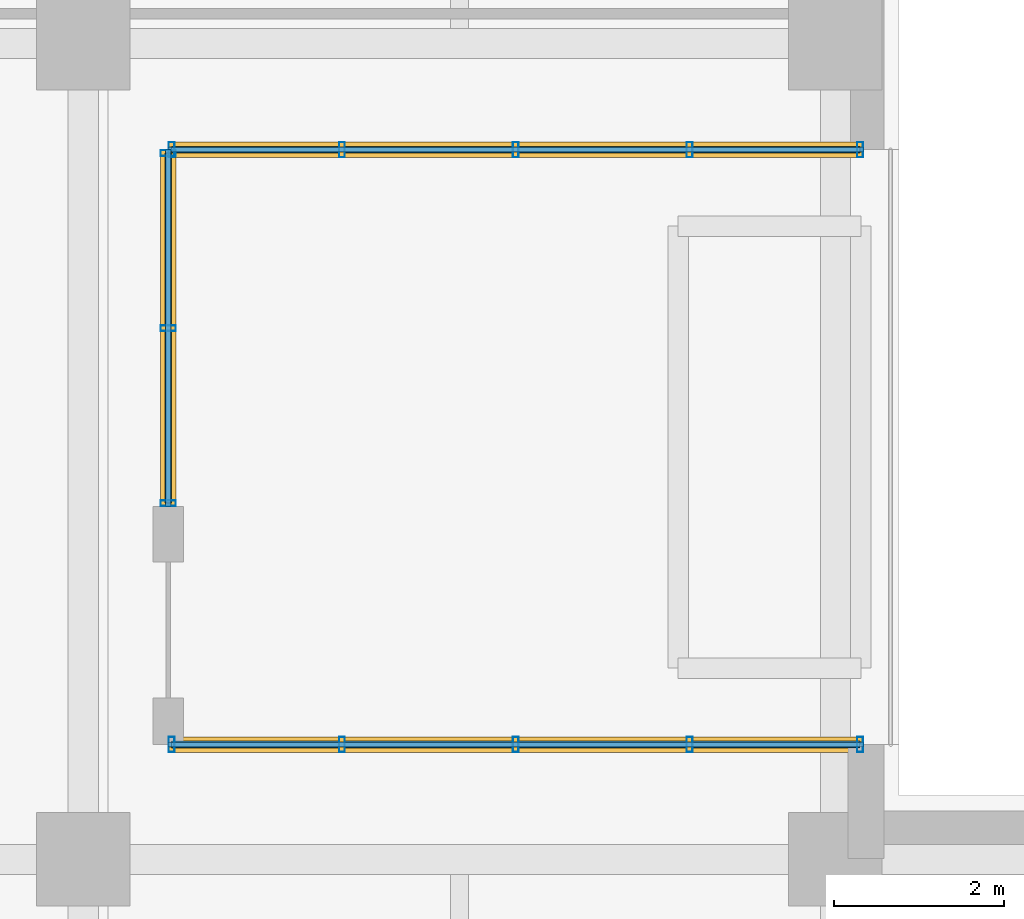
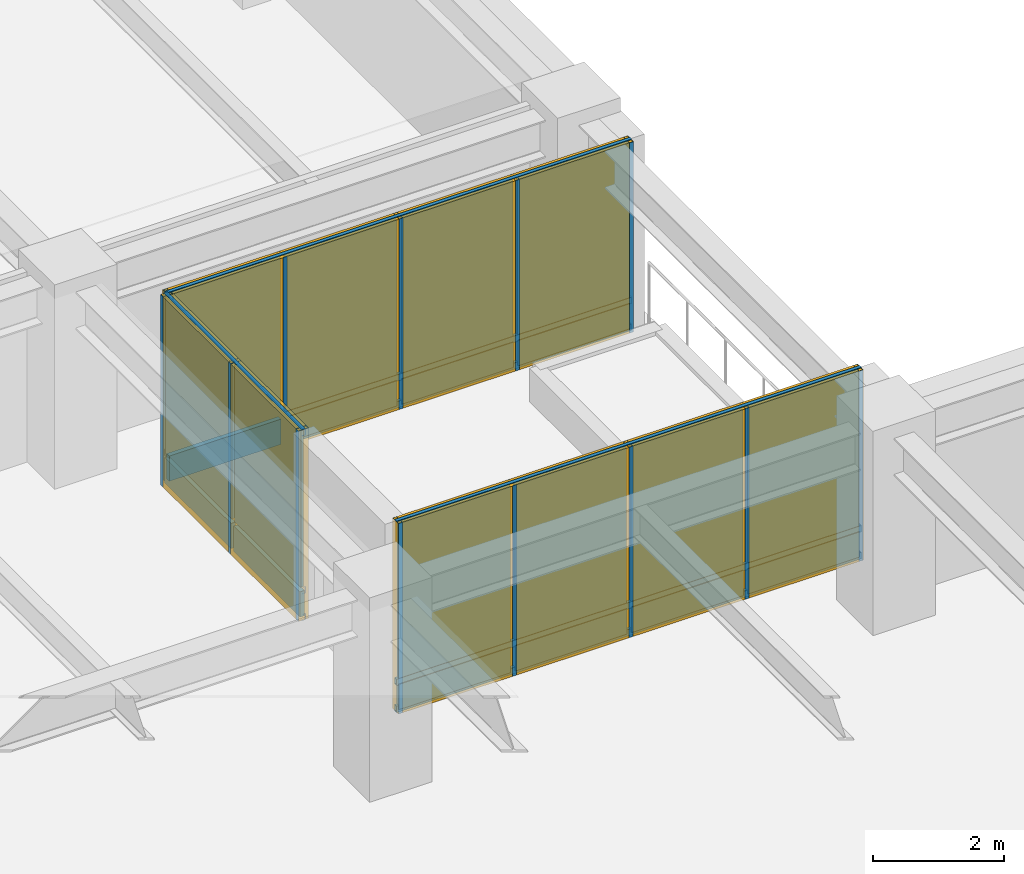
# One storey, part 11 of 16: 22 members, 20 plates, 3 curtain walls.
"""IFC4 building model written with IfcOpenShell, lengths in metres."""

from ifc_helpers import new_model, si_unit, direction, frame, frame_2d, origin, origin_2d, place, context, subcontext, project, spatial, rectangle, hollow_rectangle, extrude, material, layer, layer_set, material_profile, profile_set, type_object, element, aggregate, save


model = new_model("IFC4")

# Units and contexts
model_context = context("Model", 3, precision=1e-05, world=origin(), true_north=direction((0.0, 1.0)))
body_context = subcontext(model_context, "Body", "Model", "MODEL_VIEW")
ifc_project = project(units=[si_unit("LENGTHUNIT", "METRE"), si_unit("AREAUNIT", "SQUARE_METRE"), si_unit("VOLUMEUNIT", "CUBIC_METRE"), si_unit("PLANEANGLEUNIT", "RADIAN"), si_unit("MASSUNIT", "GRAM", prefix="KILO")], contexts=[model_context])

# Member
ifc_material_1 = material(Name="Anodized Aluminium 6063-T6", Category="aluminium")
ifc_material_profile_1 = material_profile(ifc_material_1, hollow_rectangle(XDim=0.070068359375, YDim=0.179931640625, WallThickness=0.00390625, at=origin_2d()), Name="Anodized Aluminium 6063-T6")
ifc_profile_set_1 = profile_set([ifc_material_profile_1], Name="Anodized Aluminium 6063-T6")
member_type_1 = type_object("IfcMemberType", Name="Curtain Wall Mullion 180", PredefinedType="MULLION", material=ifc_profile_set_1)
site_placement = place(None, origin())
building_placement = place(site_placement, origin())
storey_placement = place(building_placement, frame((0.0, 0.0, 58.39990234375)))
member_1_placement = place(storey_placement, frame((29.840087890625, 46.0, 0.0), z_axis=(0.0, 0.0, 1.0), x_axis=(1.0, 0.0, 0.0)))
member_1 = element("IfcMember", 1, at=member_1_placement, type_object=member_type_1, Name="Curtain Wall Mullion CW-L14-SGN-M01", PredefinedType="MULLION", context=body_context, shape_type="SweptSolid", body=[
    extrude(hollow_rectangle(XDim=0.070068359375, YDim=0.179931640625, WallThickness=0.00390625, at=origin_2d()), origin(), (0.0, 0.0, 1.0), 3.5400390625),
])

member_2_placement = place(storey_placement, frame((31.844970703125, 46.0, 0.0), z_axis=(0.0, 0.0, 1.0), x_axis=(1.0, 0.0, 0.0)))
member_2 = element("IfcMember", 2, at=member_2_placement, type_object=member_type_1, Name="Curtain Wall Mullion CW-L14-SGN-M02", PredefinedType="MULLION", context=body_context, shape_type="SweptSolid", body=[
    extrude(hollow_rectangle(XDim=0.070068359375, YDim=0.179931640625, WallThickness=0.00390625, at=origin_2d()), origin(), (0.0, 0.0, 1.0), 3.5400390625),
])

member_3_placement = place(storey_placement, frame((33.889892578125, 46.0, 0.0), z_axis=(0.0, 0.0, 1.0), x_axis=(1.0, 0.0, 0.0)))
member_3 = element("IfcMember", 3, at=member_3_placement, type_object=member_type_1, Name="Curtain Wall Mullion CW-L14-SGN-M03", PredefinedType="MULLION", context=body_context, shape_type="SweptSolid", body=[
    extrude(hollow_rectangle(XDim=0.070068359375, YDim=0.179931640625, WallThickness=0.00390625, at=origin_2d()), origin(), (0.0, 0.0, 1.0), 3.5400390625),
])

member_4_placement = place(storey_placement, frame((35.93505859375, 46.0, 0.0), z_axis=(0.0, 0.0, 1.0), x_axis=(1.0, 0.0, 0.0)))
member_4 = element("IfcMember", 4, at=member_4_placement, type_object=member_type_1, Name="Curtain Wall Mullion CW-L14-SGN-M04", PredefinedType="MULLION", context=body_context, shape_type="SweptSolid", body=[
    extrude(hollow_rectangle(XDim=0.070068359375, YDim=0.179931640625, WallThickness=0.00390625, at=origin_2d()), origin(), (0.0, 0.0, 1.0), 3.5400390625),
])

member_5_placement = place(storey_placement, frame((37.93994140625, 46.0, 0.0), z_axis=(0.0, 0.0, 1.0), x_axis=(1.0, 0.0, 0.0)))
member_5 = element("IfcMember", 5, at=member_5_placement, type_object=member_type_1, Name="Curtain Wall Mullion CW-L14-SGN-M05", PredefinedType="MULLION", context=body_context, shape_type="SweptSolid", body=[
    extrude(hollow_rectangle(XDim=0.070068359375, YDim=0.179931640625, WallThickness=0.00390625, at=origin_2d()), origin(), (0.0, 0.0, 1.0), 3.5400390625),
])

member_6_placement = place(storey_placement, frame((29.840087890625, 39.0, 0.0), z_axis=(0.0, 0.0, 1.0), x_axis=(1.0, 0.0, 0.0)))
member_6 = element("IfcMember", 6, at=member_6_placement, type_object=member_type_1, Name="Curtain Wall Mullion CW-L14-SGS-M01", PredefinedType="MULLION", context=body_context, shape_type="SweptSolid", body=[
    extrude(hollow_rectangle(XDim=0.070068359375, YDim=0.179931640625, WallThickness=0.00390625, at=origin_2d()), origin(), (0.0, 0.0, 1.0), 3.5400390625),
])

member_7_placement = place(storey_placement, frame((31.844970703125, 39.0, 0.0), z_axis=(0.0, 0.0, 1.0), x_axis=(1.0, 0.0, 0.0)))
member_7 = element("IfcMember", 7, at=member_7_placement, type_object=member_type_1, Name="Curtain Wall Mullion CW-L14-SGS-M02", PredefinedType="MULLION", context=body_context, shape_type="SweptSolid", body=[
    extrude(hollow_rectangle(XDim=0.070068359375, YDim=0.179931640625, WallThickness=0.00390625, at=origin_2d()), origin(), (0.0, 0.0, 1.0), 3.5400390625),
])

member_8_placement = place(storey_placement, frame((33.889892578125, 39.0, 0.0), z_axis=(0.0, 0.0, 1.0), x_axis=(1.0, 0.0, 0.0)))
member_8 = element("IfcMember", 8, at=member_8_placement, type_object=member_type_1, Name="Curtain Wall Mullion CW-L14-SGS-M03", PredefinedType="MULLION", context=body_context, shape_type="SweptSolid", body=[
    extrude(hollow_rectangle(XDim=0.070068359375, YDim=0.179931640625, WallThickness=0.00390625, at=origin_2d()), origin(), (0.0, 0.0, 1.0), 3.5400390625),
])

member_9_placement = place(storey_placement, frame((35.93505859375, 39.0, 0.0), z_axis=(0.0, 0.0, 1.0), x_axis=(1.0, 0.0, 0.0)))
member_9 = element("IfcMember", 9, at=member_9_placement, type_object=member_type_1, Name="Curtain Wall Mullion CW-L14-SGS-M04", PredefinedType="MULLION", context=body_context, shape_type="SweptSolid", body=[
    extrude(hollow_rectangle(XDim=0.070068359375, YDim=0.179931640625, WallThickness=0.00390625, at=origin_2d()), origin(), (0.0, 0.0, 1.0), 3.5400390625),
])

member_10_placement = place(storey_placement, frame((37.93994140625, 39.0, 0.0), z_axis=(0.0, 0.0, 1.0), x_axis=(1.0, 0.0, 0.0)))
member_10 = element("IfcMember", 10, at=member_10_placement, type_object=member_type_1, Name="Curtain Wall Mullion CW-L14-SGS-M05", PredefinedType="MULLION", context=body_context, shape_type="SweptSolid", body=[
    extrude(hollow_rectangle(XDim=0.070068359375, YDim=0.179931640625, WallThickness=0.00390625, at=origin_2d()), origin(), (0.0, 0.0, 1.0), 3.5400390625),
])

member_11_placement = place(storey_placement, frame((29.800048828125, 41.840087890625, 0.0), z_axis=(0.0, 0.0, 1.0), x_axis=(0.0, 1.0, 0.0)))
member_11 = element("IfcMember", 11, at=member_11_placement, type_object=member_type_1, Name="Curtain Wall Mullion CW-L14-SGW-M01", PredefinedType="MULLION", context=body_context, shape_type="SweptSolid", body=[
    extrude(hollow_rectangle(XDim=0.070068359375, YDim=0.179931640625, WallThickness=0.00390625, at=origin_2d()), origin(), (0.0, 0.0, 1.0), 3.5400390625),
])

member_12_placement = place(storey_placement, frame((29.800048828125, 43.89990234375, 0.0), z_axis=(0.0, 0.0, 1.0), x_axis=(0.0, 1.0, 0.0)))
member_12 = element("IfcMember", 12, at=member_12_placement, type_object=member_type_1, Name="Curtain Wall Mullion CW-L14-SGW-M02", PredefinedType="MULLION", context=body_context, shape_type="SweptSolid", body=[
    extrude(hollow_rectangle(XDim=0.070068359375, YDim=0.179931640625, WallThickness=0.00390625, at=origin_2d()), origin(), (0.0, 0.0, 1.0), 3.5400390625),
])

member_13_placement = place(storey_placement, frame((29.800048828125, 45.9599609375, 0.0), z_axis=(0.0, 0.0, 1.0), x_axis=(0.0, 1.0, 0.0)))
member_13 = element("IfcMember", 13, at=member_13_placement, type_object=member_type_1, Name="Curtain Wall Mullion CW-L14-SGW-M03", PredefinedType="MULLION", context=body_context, shape_type="SweptSolid", body=[
    extrude(hollow_rectangle(XDim=0.070068359375, YDim=0.179931640625, WallThickness=0.00390625, at=origin_2d()), origin(), (0.0, 0.0, 1.0), 3.5400390625),
])

ifc_material_profile_2 = material_profile(ifc_material_1, hollow_rectangle(XDim=0.06005859375, YDim=0.1201171875, WallThickness=0.00341796875, at=origin_2d()), Name="Anodized Aluminium 6063-T6")
ifc_profile_set_2 = profile_set([ifc_material_profile_2], Name="Anodized Aluminium 6063-T6")
member_type_2 = type_object("IfcMemberType", Name="Curtain Wall Transom 120", PredefinedType="USERDEFINED", material=ifc_profile_set_2)
member_14_placement = place(storey_placement, frame((29.800048828125, 46.0, 0.050048828125), z_axis=(1.0, 0.0, 0.0), x_axis=(0.0, 1.0, 0.0)))
member_14 = element("IfcMember", 14, at=member_14_placement, type_object=member_type_2, Name="Curtain Wall Transom CW-L14-SGN-T01", ObjectType="TRANSOM", PredefinedType="USERDEFINED", context=body_context, shape_type="SweptSolid", body=[
    extrude(hollow_rectangle(XDim=0.06005859375, YDim=0.1201171875, WallThickness=0.00341796875, at=origin_2d()), origin(), (0.0, 0.0, 1.0), 8.179931640625),
])

member_15_placement = place(storey_placement, frame((29.800048828125, 46.0, 0.550048828125), z_axis=(1.0, 0.0, 0.0), x_axis=(0.0, 1.0, 0.0)))
member_15 = element("IfcMember", 15, at=member_15_placement, type_object=member_type_2, Name="Curtain Wall Transom CW-L14-SGN-T02", ObjectType="TRANSOM", PredefinedType="USERDEFINED", context=body_context, shape_type="SweptSolid", body=[
    extrude(hollow_rectangle(XDim=0.06005859375, YDim=0.1201171875, WallThickness=0.00341796875, at=origin_2d()), origin(), (0.0, 0.0, 1.0), 8.179931640625),
])

member_16_placement = place(storey_placement, frame((29.800048828125, 46.0, 3.489990234375), z_axis=(1.0, 0.0, 0.0), x_axis=(0.0, 1.0, 0.0)))
member_16 = element("IfcMember", 16, at=member_16_placement, type_object=member_type_2, Name="Curtain Wall Transom CW-L14-SGN-T03", ObjectType="TRANSOM", PredefinedType="USERDEFINED", context=body_context, shape_type="SweptSolid", body=[
    extrude(hollow_rectangle(XDim=0.06005859375, YDim=0.1201171875, WallThickness=0.00341796875, at=origin_2d()), origin(), (0.0, 0.0, 1.0), 8.179931640625),
])

member_17_placement = place(storey_placement, frame((29.800048828125, 39.0, 0.050048828125), z_axis=(1.0, 0.0, 0.0), x_axis=(0.0, 1.0, 0.0)))
member_17 = element("IfcMember", 17, at=member_17_placement, type_object=member_type_2, Name="Curtain Wall Transom CW-L14-SGS-T01", ObjectType="TRANSOM", PredefinedType="USERDEFINED", context=body_context, shape_type="SweptSolid", body=[
    extrude(hollow_rectangle(XDim=0.06005859375, YDim=0.1201171875, WallThickness=0.00341796875, at=origin_2d()), origin(), (0.0, 0.0, 1.0), 8.179931640625),
])

member_18_placement = place(storey_placement, frame((29.800048828125, 39.0, 0.550048828125), z_axis=(1.0, 0.0, 0.0), x_axis=(0.0, 1.0, 0.0)))
member_18 = element("IfcMember", 18, at=member_18_placement, type_object=member_type_2, Name="Curtain Wall Transom CW-L14-SGS-T02", ObjectType="TRANSOM", PredefinedType="USERDEFINED", context=body_context, shape_type="SweptSolid", body=[
    extrude(hollow_rectangle(XDim=0.06005859375, YDim=0.1201171875, WallThickness=0.00341796875, at=origin_2d()), origin(), (0.0, 0.0, 1.0), 8.179931640625),
])

member_19_placement = place(storey_placement, frame((29.800048828125, 39.0, 3.489990234375), z_axis=(1.0, 0.0, 0.0), x_axis=(0.0, 1.0, 0.0)))
member_19 = element("IfcMember", 19, at=member_19_placement, type_object=member_type_2, Name="Curtain Wall Transom CW-L14-SGS-T03", ObjectType="TRANSOM", PredefinedType="USERDEFINED", context=body_context, shape_type="SweptSolid", body=[
    extrude(hollow_rectangle(XDim=0.06005859375, YDim=0.1201171875, WallThickness=0.00341796875, at=origin_2d()), origin(), (0.0, 0.0, 1.0), 8.179931640625),
])

member_20_placement = place(storey_placement, frame((29.800048828125, 41.800048828125, 0.050048828125), z_axis=(0.0, 1.0, 0.0), x_axis=(-1.0, 0.0, 0.0)))
member_20 = element("IfcMember", 20, at=member_20_placement, type_object=member_type_2, Name="Curtain Wall Transom CW-L14-SGW-T01", ObjectType="TRANSOM", PredefinedType="USERDEFINED", context=body_context, shape_type="SweptSolid", body=[
    extrude(hollow_rectangle(XDim=0.06005859375, YDim=0.1201171875, WallThickness=0.00341796875, at=origin_2d()), origin(), (0.0, 0.0, 1.0), 4.199951171875),
])

member_21_placement = place(storey_placement, frame((29.800048828125, 41.800048828125, 0.550048828125), z_axis=(0.0, 1.0, 0.0), x_axis=(-1.0, 0.0, 0.0)))
member_21 = element("IfcMember", 21, at=member_21_placement, type_object=member_type_2, Name="Curtain Wall Transom CW-L14-SGW-T02", ObjectType="TRANSOM", PredefinedType="USERDEFINED", context=body_context, shape_type="SweptSolid", body=[
    extrude(hollow_rectangle(XDim=0.06005859375, YDim=0.1201171875, WallThickness=0.00341796875, at=origin_2d()), origin(), (0.0, 0.0, 1.0), 4.199951171875),
])

member_22_placement = place(storey_placement, frame((29.800048828125, 41.800048828125, 3.489990234375), z_axis=(0.0, 1.0, 0.0), x_axis=(-1.0, 0.0, 0.0)))
member_22 = element("IfcMember", 22, at=member_22_placement, type_object=member_type_2, Name="Curtain Wall Transom CW-L14-SGW-T03", ObjectType="TRANSOM", PredefinedType="USERDEFINED", context=body_context, shape_type="SweptSolid", body=[
    extrude(hollow_rectangle(XDim=0.06005859375, YDim=0.1201171875, WallThickness=0.00341796875, at=origin_2d()), origin(), (0.0, 0.0, 1.0), 4.199951171875),
])

# Plate
ifc_material_2 = material(Name="Bird-Friendly Fritted Triple Glazing", Category="glass")
ifc_layer_1 = layer(ifc_material_2, 0.052001953125, Name="Bird-Friendly Fritted Triple Glazing")
ifc_layer_set_1 = layer_set([ifc_layer_1], Name="Bird-Friendly Fritted Triple Glazing")
plate_type_1 = type_object("IfcPlateType", Name="Plate CWGlazing 52", PredefinedType="CURTAIN_PANEL", material=ifc_layer_set_1)
plate_1_placement = place(storey_placement, frame((30.822509765625, 46.0, 0.59033203125), z_axis=(0.0, 0.0, 1.0), x_axis=(1.0, 0.0, 0.0)))
plate_1 = element("IfcPlate", 23, at=plate_1_placement, type_object=plate_type_1, Name="Vision Glazing Panel CW-L14-SGN-GL01", PredefinedType="CURTAIN_PANEL", context=body_context, shape_type="SweptSolid", body=[
    extrude(rectangle(XDim=1.965087890625, YDim=0.052001953125, at=origin_2d()), origin(), (0.0, 0.0, 1.0), 2.909912109375),
])

plate_2_placement = place(storey_placement, frame((32.867431640625, 46.0, 0.59033203125), z_axis=(0.0, 0.0, 1.0), x_axis=(1.0, 0.0, 0.0)))
plate_2 = element("IfcPlate", 24, at=plate_2_placement, type_object=plate_type_1, Name="Vision Glazing Panel CW-L14-SGN-GL02", PredefinedType="CURTAIN_PANEL", context=body_context, shape_type="SweptSolid", body=[
    extrude(rectangle(XDim=1.965087890625, YDim=0.052001953125, at=origin_2d()), origin(), (0.0, 0.0, 1.0), 2.909912109375),
])

plate_3_placement = place(storey_placement, frame((34.91259765625, 46.0, 0.59033203125), z_axis=(0.0, 0.0, 1.0), x_axis=(1.0, 0.0, 0.0)))
plate_3 = element("IfcPlate", 25, at=plate_3_placement, type_object=plate_type_1, Name="Vision Glazing Panel CW-L14-SGN-GL03", PredefinedType="CURTAIN_PANEL", context=body_context, shape_type="SweptSolid", body=[
    extrude(rectangle(XDim=1.965087890625, YDim=0.052001953125, at=origin_2d()), origin(), (0.0, 0.0, 1.0), 2.909912109375),
])

plate_4_placement = place(storey_placement, frame((36.95751953125, 46.0, 0.59033203125), z_axis=(0.0, 0.0, 1.0), x_axis=(1.0, 0.0, 0.0)))
plate_4 = element("IfcPlate", 26, at=plate_4_placement, type_object=plate_type_1, Name="Vision Glazing Panel CW-L14-SGN-GL04", PredefinedType="CURTAIN_PANEL", context=body_context, shape_type="SweptSolid", body=[
    extrude(rectangle(XDim=1.965087890625, YDim=0.052001953125, at=origin_2d()), origin(), (0.0, 0.0, 1.0), 2.909912109375),
])

plate_5_placement = place(storey_placement, frame((30.822509765625, 39.0, 0.59033203125), z_axis=(0.0, 0.0, 1.0), x_axis=(1.0, 0.0, 0.0)))
plate_5 = element("IfcPlate", 27, at=plate_5_placement, type_object=plate_type_1, Name="Vision Glazing Panel CW-L14-SGS-GL01", PredefinedType="CURTAIN_PANEL", context=body_context, shape_type="SweptSolid", body=[
    extrude(rectangle(XDim=1.965087890625, YDim=0.052001953125, at=origin_2d()), origin(), (0.0, 0.0, 1.0), 2.909912109375),
])

plate_6_placement = place(storey_placement, frame((32.867431640625, 39.0, 0.59033203125), z_axis=(0.0, 0.0, 1.0), x_axis=(1.0, 0.0, 0.0)))
plate_6 = element("IfcPlate", 28, at=plate_6_placement, type_object=plate_type_1, Name="Vision Glazing Panel CW-L14-SGS-GL02", PredefinedType="CURTAIN_PANEL", context=body_context, shape_type="SweptSolid", body=[
    extrude(rectangle(XDim=1.965087890625, YDim=0.052001953125, at=origin_2d()), origin(), (0.0, 0.0, 1.0), 2.909912109375),
])

plate_7_placement = place(storey_placement, frame((34.91259765625, 39.0, 0.59033203125), z_axis=(0.0, 0.0, 1.0), x_axis=(1.0, 0.0, 0.0)))
plate_7 = element("IfcPlate", 29, at=plate_7_placement, type_object=plate_type_1, Name="Vision Glazing Panel CW-L14-SGS-GL03", PredefinedType="CURTAIN_PANEL", context=body_context, shape_type="SweptSolid", body=[
    extrude(rectangle(XDim=1.965087890625, YDim=0.052001953125, at=origin_2d()), origin(), (0.0, 0.0, 1.0), 2.909912109375),
])

plate_8_placement = place(storey_placement, frame((36.95751953125, 39.0, 0.59033203125), z_axis=(0.0, 0.0, 1.0), x_axis=(1.0, 0.0, 0.0)))
plate_8 = element("IfcPlate", 30, at=plate_8_placement, type_object=plate_type_1, Name="Vision Glazing Panel CW-L14-SGS-GL04", PredefinedType="CURTAIN_PANEL", context=body_context, shape_type="SweptSolid", body=[
    extrude(rectangle(XDim=1.965087890625, YDim=0.052001953125, at=origin_2d()), origin(), (0.0, 0.0, 1.0), 2.909912109375),
])

plate_9_placement = place(storey_placement, frame((29.800048828125, 42.85009765625, 0.59033203125), z_axis=(0.0, 0.0, 1.0), x_axis=(0.0, 1.0, 0.0)))
plate_9 = element("IfcPlate", 31, at=plate_9_placement, type_object=plate_type_1, Name="Vision Glazing Panel CW-L14-SGW-GL01", PredefinedType="CURTAIN_PANEL", context=body_context, shape_type="SweptSolid", body=[
    extrude(rectangle(XDim=2.02001953125, YDim=0.052001953125, at=origin_2d()), origin(), (0.0, 0.0, 1.0), 2.909912109375),
])

plate_10_placement = place(storey_placement, frame((29.800048828125, 44.949951171875, 0.59033203125), z_axis=(0.0, 0.0, 1.0), x_axis=(0.0, 1.0, 0.0)))
plate_10 = element("IfcPlate", 32, at=plate_10_placement, type_object=plate_type_1, Name="Vision Glazing Panel CW-L14-SGW-GL02", PredefinedType="CURTAIN_PANEL", context=body_context, shape_type="SweptSolid", body=[
    extrude(rectangle(XDim=2.02001953125, YDim=0.052001953125, at=origin_2d()), origin(), (0.0, 0.0, 1.0), 2.909912109375),
])

ifc_material_3 = material(Name="Insulated Aluminium Spandrel Panel", Category="aluminium")
ifc_layer_2 = layer(ifc_material_3, 0.080078125, Name="Insulated Aluminium Spandrel Panel")
ifc_layer_set_2 = layer_set([ifc_layer_2], Name="Insulated Aluminium Spandrel Panel")
plate_type_2 = type_object("IfcPlateType", Name="Plate CWSpandrel 80", PredefinedType="SHEET", material=ifc_layer_set_2)
plate_11_placement = place(storey_placement, frame((30.822509765625, 46.0, 0.0400390625), z_axis=(0.0, 0.0, 1.0), x_axis=(1.0, 0.0, 0.0)))
plate_11 = element("IfcPlate", 33, at=plate_11_placement, type_object=plate_type_2, Name="Spandrel Panel CW-L14-SGN-SP01", PredefinedType="SHEET", context=body_context, shape_type="SweptSolid", body=[
    extrude(rectangle(XDim=1.965087890625, YDim=0.080078125, at=origin_2d()), origin(), (0.0, 0.0, 1.0), 0.469970703125),
])

plate_12_placement = place(storey_placement, frame((32.867431640625, 46.0, 0.0400390625), z_axis=(0.0, 0.0, 1.0), x_axis=(1.0, 0.0, 0.0)))
plate_12 = element("IfcPlate", 34, at=plate_12_placement, type_object=plate_type_2, Name="Spandrel Panel CW-L14-SGN-SP02", PredefinedType="SHEET", context=body_context, shape_type="SweptSolid", body=[
    extrude(rectangle(XDim=1.965087890625, YDim=0.080078125, at=origin_2d()), origin(), (0.0, 0.0, 1.0), 0.469970703125),
])

plate_13_placement = place(storey_placement, frame((34.91259765625, 46.0, 0.0400390625), z_axis=(0.0, 0.0, 1.0), x_axis=(1.0, 0.0, 0.0)))
plate_13 = element("IfcPlate", 35, at=plate_13_placement, type_object=plate_type_2, Name="Spandrel Panel CW-L14-SGN-SP03", PredefinedType="SHEET", context=body_context, shape_type="SweptSolid", body=[
    extrude(rectangle(XDim=1.965087890625, YDim=0.080078125, at=origin_2d()), origin(), (0.0, 0.0, 1.0), 0.469970703125),
])

plate_14_placement = place(storey_placement, frame((36.95751953125, 46.0, 0.0400390625), z_axis=(0.0, 0.0, 1.0), x_axis=(1.0, 0.0, 0.0)))
plate_14 = element("IfcPlate", 36, at=plate_14_placement, type_object=plate_type_2, Name="Spandrel Panel CW-L14-SGN-SP04", PredefinedType="SHEET", context=body_context, shape_type="SweptSolid", body=[
    extrude(rectangle(XDim=1.965087890625, YDim=0.080078125, at=origin_2d()), origin(), (0.0, 0.0, 1.0), 0.469970703125),
])

plate_15_placement = place(storey_placement, frame((30.822509765625, 39.0, 0.0400390625), z_axis=(0.0, 0.0, 1.0), x_axis=(1.0, 0.0, 0.0)))
plate_15 = element("IfcPlate", 37, at=plate_15_placement, type_object=plate_type_2, Name="Spandrel Panel CW-L14-SGS-SP01", PredefinedType="SHEET", context=body_context, shape_type="SweptSolid", body=[
    extrude(rectangle(XDim=1.965087890625, YDim=0.080078125, at=origin_2d()), origin(), (0.0, 0.0, 1.0), 0.469970703125),
])

plate_16_placement = place(storey_placement, frame((32.867431640625, 39.0, 0.0400390625), z_axis=(0.0, 0.0, 1.0), x_axis=(1.0, 0.0, 0.0)))
plate_16 = element("IfcPlate", 38, at=plate_16_placement, type_object=plate_type_2, Name="Spandrel Panel CW-L14-SGS-SP02", PredefinedType="SHEET", context=body_context, shape_type="SweptSolid", body=[
    extrude(rectangle(XDim=1.965087890625, YDim=0.080078125, at=origin_2d()), origin(), (0.0, 0.0, 1.0), 0.469970703125),
])

plate_17_placement = place(storey_placement, frame((34.91259765625, 39.0, 0.0400390625), z_axis=(0.0, 0.0, 1.0), x_axis=(1.0, 0.0, 0.0)))
plate_17 = element("IfcPlate", 39, at=plate_17_placement, type_object=plate_type_2, Name="Spandrel Panel CW-L14-SGS-SP03", PredefinedType="SHEET", context=body_context, shape_type="SweptSolid", body=[
    extrude(rectangle(XDim=1.965087890625, YDim=0.080078125, at=origin_2d()), origin(), (0.0, 0.0, 1.0), 0.469970703125),
])

plate_18_placement = place(storey_placement, frame((36.95751953125, 39.0, 0.0400390625), z_axis=(0.0, 0.0, 1.0), x_axis=(1.0, 0.0, 0.0)))
plate_18 = element("IfcPlate", 40, at=plate_18_placement, type_object=plate_type_2, Name="Spandrel Panel CW-L14-SGS-SP04", PredefinedType="SHEET", context=body_context, shape_type="SweptSolid", body=[
    extrude(rectangle(XDim=1.965087890625, YDim=0.080078125, at=origin_2d()), origin(), (0.0, 0.0, 1.0), 0.469970703125),
])

plate_19_placement = place(storey_placement, frame((29.800048828125, 42.85009765625, 0.0400390625), z_axis=(0.0, 0.0, 1.0), x_axis=(0.0, 1.0, 0.0)))
plate_19 = element("IfcPlate", 41, at=plate_19_placement, type_object=plate_type_2, Name="Spandrel Panel CW-L14-SGW-SP01", PredefinedType="SHEET", context=body_context, shape_type="SweptSolid", body=[
    extrude(rectangle(XDim=2.02001953125, YDim=0.080078125, at=origin_2d()), origin(), (0.0, 0.0, 1.0), 0.469970703125),
])

plate_20_placement = place(storey_placement, frame((29.800048828125, 44.949951171875, 0.0400390625), z_axis=(0.0, 0.0, 1.0), x_axis=(0.0, 1.0, 0.0)))
plate_20 = element("IfcPlate", 42, at=plate_20_placement, type_object=plate_type_2, Name="Spandrel Panel CW-L14-SGW-SP02", PredefinedType="SHEET", context=body_context, shape_type="SweptSolid", body=[
    extrude(rectangle(XDim=2.02001953125, YDim=0.080078125, at=origin_2d()), origin(), (0.0, 0.0, 1.0), 0.469970703125),
])

# Site, building, storey
site = spatial("IfcSite", under=ifc_project, at=site_placement, CompositionType="ELEMENT")
building = spatial("IfcBuilding", under=site, at=building_placement, Name="Norrvale University Quadrangle", CompositionType="ELEMENT")
storey = spatial("IfcBuildingStorey", under=building, at=storey_placement, Name="L14", CompositionType="ELEMENT", Elevation=58.39990234375)

# Curtain wall
ifc_material_4 = material(Name="Anodized Aluminium and Triple Glazing", Category="glass")
curtain_wall_type = type_object("IfcCurtainWallType", Name="Curtain Wall System 2 Sky Garden", PredefinedType="NOTDEFINED", material=ifc_material_4)
curtain_wall_1_placement = place(storey_placement, frame((29.800048828125, 46.0, 0.0), z_axis=(0.0, 0.0, 1.0), x_axis=(1.0, 0.0, 0.0)))
curtain_wall_1 = element("IfcCurtainWall", 43, at=curtain_wall_1_placement, inside=storey, type_object=curtain_wall_type, Name="Curtain Wall CW System 2 Sky Garden CW-L14-SGN", PredefinedType="NOTDEFINED", context=body_context, shape_type="SweptSolid", body=[
    extrude(rectangle(XDim=8.179931640625, YDim=0.179931640625, at=frame_2d((4.08984375, 0.0))), origin(), (0.0, 0.0, 1.0), 3.5400390625),
])

aggregate(curtain_wall_1, [member_1, member_2, member_3, member_4, member_5, member_14, member_15, member_16, plate_11, plate_1, plate_12, plate_2, plate_13, plate_3, plate_14, plate_4])

curtain_wall_2_placement = place(storey_placement, frame((29.800048828125, 39.0, 0.0), z_axis=(0.0, 0.0, 1.0), x_axis=(1.0, 0.0, 0.0)))
curtain_wall_2 = element("IfcCurtainWall", 44, at=curtain_wall_2_placement, inside=storey, type_object=curtain_wall_type, Name="Curtain Wall CW System 2 Sky Garden CW-L14-SGS", PredefinedType="NOTDEFINED", context=body_context, shape_type="SweptSolid", body=[
    extrude(rectangle(XDim=8.179931640625, YDim=0.179931640625, at=frame_2d((4.08984375, 0.0))), origin(), (0.0, 0.0, 1.0), 3.5400390625),
])

aggregate(curtain_wall_2, [member_6, member_7, member_8, member_9, member_10, member_17, member_18, member_19, plate_15, plate_5, plate_16, plate_6, plate_17, plate_7, plate_18, plate_8])

curtain_wall_3_placement = place(storey_placement, frame((29.800048828125, 41.800048828125, 0.0), z_axis=(0.0, 0.0, 1.0), x_axis=(0.0, 1.0, 0.0)))
curtain_wall_3 = element("IfcCurtainWall", 45, at=curtain_wall_3_placement, inside=storey, type_object=curtain_wall_type, Name="Curtain Wall CW System 2 Sky Garden CW-L14-SGW", PredefinedType="NOTDEFINED", context=body_context, shape_type="SweptSolid", body=[
    extrude(rectangle(XDim=4.199951171875, YDim=0.179931640625, at=frame_2d((2.10009765625, 0.0))), origin(), (0.0, 0.0, 1.0), 3.5400390625),
])

aggregate(curtain_wall_3, [member_11, member_12, member_13, member_20, member_21, member_22, plate_19, plate_9, plate_20, plate_10])

save(model, "model.ifc")
